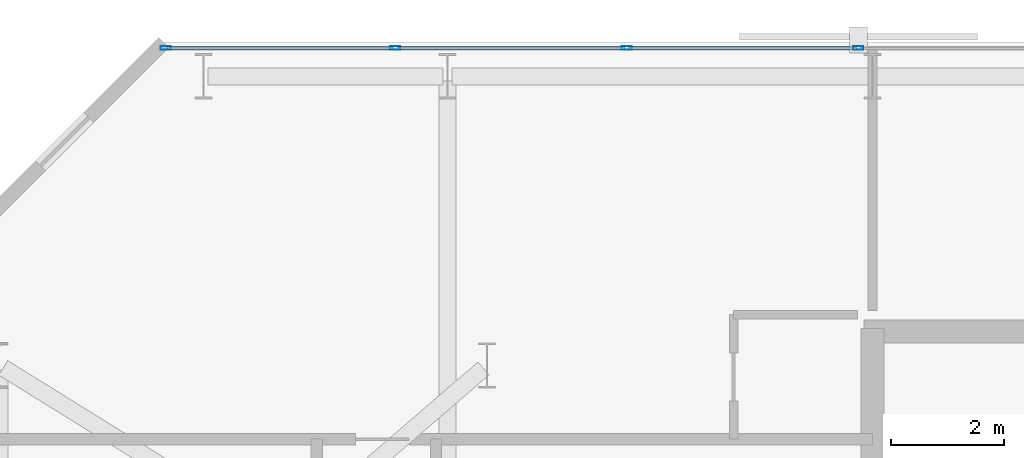
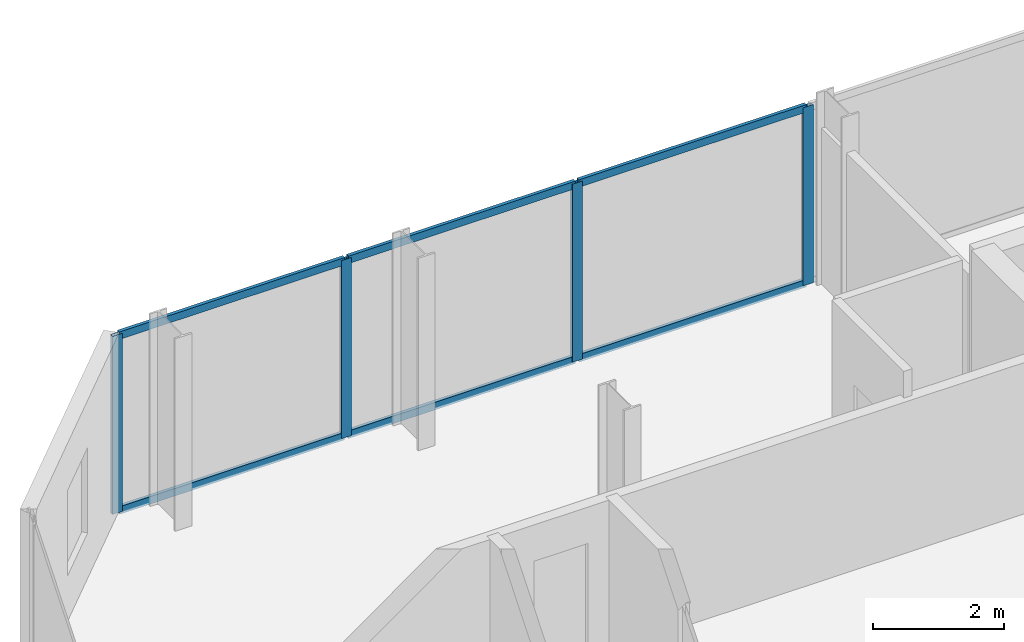
# One storey, part 21 of 32: 10 members, 1 element without a shape of its own.
"""IFC4 building model written with IfcOpenShell, lengths in metres."""

from ifc_helpers import new_model, si_unit, direction, frame, origin, origin_2d, place, context, subcontext, project, spatial, hollow_rectangle, extrude, material, layer, layer_set, material_profile, profile_set, type_object, element, aggregate, save


model = new_model("IFC4")

# Units and contexts
model_context = context("Model", 3, precision=1e-05, world=origin(), true_north=direction((0.0, 1.0)))
body_context = subcontext(model_context, "Body", "Model", "MODEL_VIEW")
ifc_project = project(units=[si_unit("LENGTHUNIT", "METRE"), si_unit("AREAUNIT", "SQUARE_METRE"), si_unit("VOLUMEUNIT", "CUBIC_METRE"), si_unit("PLANEANGLEUNIT", "RADIAN"), si_unit("MASSUNIT", "GRAM", prefix="KILO")], contexts=[model_context])

# Site, building, storey
site_placement = place(None, origin())
site = spatial("IfcSite", under=ifc_project, at=site_placement, CompositionType="ELEMENT")
building_placement = place(site_placement, origin())
building = spatial("IfcBuilding", under=site, at=building_placement, Name="Catumbela Crestline Tower", CompositionType="ELEMENT")
storey_placement = place(building_placement, frame((0.0, 0.0, 65.4)))
storey = spatial("IfcBuildingStorey", under=building, at=storey_placement, Name="L16", CompositionType="ELEMENT", Elevation=65.4)

# Curtain wall, members
ifc_material = material(Name="Aluminium alloy AW-6060-T66", Category="aluminium")
ifc_layer = layer(ifc_material, 0.18, Name="Aluminium alloy AW-6060-T66")
ifc_layer_set = layer_set([ifc_layer], Name="Aluminium alloy AW-6060-T66")
curtain_wall_type = type_object("IfcCurtainWallType", Name="CWU-Z1", PredefinedType="USERDEFINED", material=ifc_layer_set)
curtain_wall_placement = place(storey_placement, origin())
curtain_wall = element("IfcCurtainWall", 1, at=curtain_wall_placement, inside=storey, type_object=curtain_wall_type, Name="L16 Unitised Curtain Wall CW-L16-E7S1", ObjectType="UNITISED", PredefinedType="USERDEFINED")
ifc_material_profile_1 = material_profile(ifc_material, hollow_rectangle(XDim=0.065, YDim=0.18, WallThickness=0.004, at=origin_2d()), Name="ALU 180x65x4")
ifc_profile_set_1 = profile_set([ifc_material_profile_1], Name="Aluminium alloy AW-6060-T66")
member_type_1 = type_object("IfcMemberType", Name="MUL-180X65", PredefinedType="MULLION", material=ifc_profile_set_1)
member_1_placement = place(storey_placement, frame((15.75, 47.9, 0.0), z_axis=(0.0, 0.0, 1.0), x_axis=(0.0, -1.0, 0.0)))
member_1 = element("IfcMember", 2, at=member_1_placement, type_object=member_type_1, Name="CWU-Z1 mullion 10", PredefinedType="MULLION", context=body_context, shape_type="SweptSolid", body=[
    extrude(hollow_rectangle(XDim=0.065, YDim=0.18, WallThickness=0.004, at=origin_2d()), origin(), (0.0, 0.0, 1.0), 3.33),
])
member_2_placement = place(storey_placement, frame((11.6667, 47.9, 0.0), z_axis=(0.0, 0.0, 1.0), x_axis=(0.0, -1.0, 0.0)))
member_2 = element("IfcMember", 3, at=member_2_placement, type_object=member_type_1, Name="CWU-Z1 mullion 11", PredefinedType="MULLION", context=body_context, shape_type="SweptSolid", body=[
    extrude(hollow_rectangle(XDim=0.065, YDim=0.18, WallThickness=0.004, at=origin_2d()), origin(), (0.0, 0.0, 1.0), 3.33),
])
member_3_placement = place(storey_placement, frame((7.5833, 47.9, 0.0), z_axis=(0.0, 0.0, 1.0), x_axis=(0.0, -1.0, 0.0)))
member_3 = element("IfcMember", 4, at=member_3_placement, type_object=member_type_1, Name="CWU-Z1 mullion 12", PredefinedType="MULLION", context=body_context, shape_type="SweptSolid", body=[
    extrude(hollow_rectangle(XDim=0.065, YDim=0.18, WallThickness=0.004, at=origin_2d()), origin(), (0.0, 0.0, 1.0), 3.33),
])
member_4_placement = place(storey_placement, frame((3.5325, 47.9, 0.0), z_axis=(0.0, 0.0, 1.0), x_axis=(0.0, -1.0, 0.0)))
member_4 = element("IfcMember", 5, at=member_4_placement, type_object=member_type_1, Name="CWU-Z1 mullion 13", PredefinedType="MULLION", context=body_context, shape_type="SweptSolid", body=[
    extrude(hollow_rectangle(XDim=0.065, YDim=0.18, WallThickness=0.004, at=origin_2d()), origin(), (0.0, 0.0, 1.0), 3.33),
])
ifc_material_profile_2 = material_profile(ifc_material, hollow_rectangle(XDim=0.06, YDim=0.14, WallThickness=0.004, at=origin_2d()), Name="ALU 140x60x4")
ifc_profile_set_2 = profile_set([ifc_material_profile_2], Name="Aluminium alloy AW-6060-T66")
member_type_2 = type_object("IfcMemberType", Name="TRN-140X60", PredefinedType="USERDEFINED", material=ifc_profile_set_2)
member_5_placement = place(storey_placement, frame((15.7175, 47.9, 0.03), z_axis=(-1.0, 0.0, 0.0), x_axis=(0.0, -1.0, 0.0)))
member_5 = element("IfcMember", 6, at=member_5_placement, type_object=member_type_2, Name="CWU-Z1 transom 10.1", ObjectType="TRANSOM", PredefinedType="USERDEFINED", context=body_context, shape_type="SweptSolid", body=[
    extrude(hollow_rectangle(XDim=0.06, YDim=0.14, WallThickness=0.004, at=origin_2d()), origin(), (0.0, 0.0, 1.0), 4.0183),
])
member_6_placement = place(storey_placement, frame((15.7175, 47.9, 3.3), z_axis=(-1.0, 0.0, 0.0), x_axis=(0.0, -1.0, 0.0)))
member_6 = element("IfcMember", 7, at=member_6_placement, type_object=member_type_2, Name="CWU-Z1 transom 10.2", ObjectType="TRANSOM", PredefinedType="USERDEFINED", context=body_context, shape_type="SweptSolid", body=[
    extrude(hollow_rectangle(XDim=0.06, YDim=0.14, WallThickness=0.004, at=origin_2d()), origin(), (0.0, 0.0, 1.0), 4.0183),
])
member_7_placement = place(storey_placement, frame((11.6342, 47.9, 0.03), z_axis=(-1.0, 0.0, 0.0), x_axis=(0.0, -1.0, 0.0)))
member_7 = element("IfcMember", 8, at=member_7_placement, type_object=member_type_2, Name="CWU-Z1 transom 11.1", ObjectType="TRANSOM", PredefinedType="USERDEFINED", context=body_context, shape_type="SweptSolid", body=[
    extrude(hollow_rectangle(XDim=0.06, YDim=0.14, WallThickness=0.004, at=origin_2d()), origin(), (0.0, 0.0, 1.0), 4.0184),
])
member_8_placement = place(storey_placement, frame((11.6342, 47.9, 3.3), z_axis=(-1.0, 0.0, 0.0), x_axis=(0.0, -1.0, 0.0)))
member_8 = element("IfcMember", 9, at=member_8_placement, type_object=member_type_2, Name="CWU-Z1 transom 11.2", ObjectType="TRANSOM", PredefinedType="USERDEFINED", context=body_context, shape_type="SweptSolid", body=[
    extrude(hollow_rectangle(XDim=0.06, YDim=0.14, WallThickness=0.004, at=origin_2d()), origin(), (0.0, 0.0, 1.0), 4.0184),
])
member_9_placement = place(storey_placement, frame((7.5508, 47.9, 0.03), z_axis=(-1.0, 0.0, 0.0), x_axis=(0.0, -1.0, 0.0)))
member_9 = element("IfcMember", 10, at=member_9_placement, type_object=member_type_2, Name="CWU-Z1 transom 12.1", ObjectType="TRANSOM", PredefinedType="USERDEFINED", context=body_context, shape_type="SweptSolid", body=[
    extrude(hollow_rectangle(XDim=0.06, YDim=0.14, WallThickness=0.004, at=origin_2d()), origin(), (0.0, 0.0, 1.0), 3.9858),
])
member_10_placement = place(storey_placement, frame((7.5508, 47.9, 3.3), z_axis=(-1.0, 0.0, 0.0), x_axis=(0.0, -1.0, 0.0)))
member_10 = element("IfcMember", 11, at=member_10_placement, type_object=member_type_2, Name="CWU-Z1 transom 12.2", ObjectType="TRANSOM", PredefinedType="USERDEFINED", context=body_context, shape_type="SweptSolid", body=[
    extrude(hollow_rectangle(XDim=0.06, YDim=0.14, WallThickness=0.004, at=origin_2d()), origin(), (0.0, 0.0, 1.0), 3.9858),
])
aggregate(curtain_wall, [member_1, member_2, member_3, member_4, member_5, member_6, member_7, member_8, member_9, member_10])

save(model, "model.ifc")
